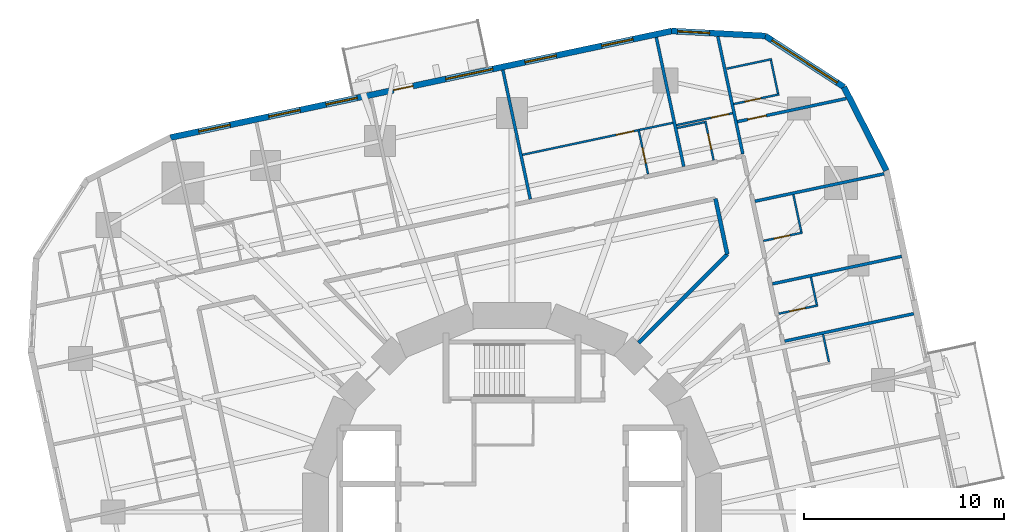
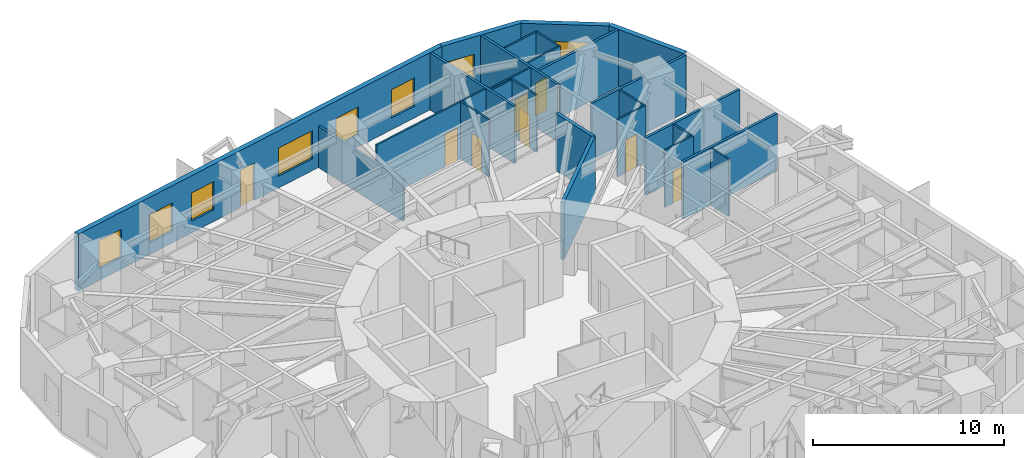
# One storey, part 11 of 14: 27 walls, 9 doors, 8 windows, 17 openings.
"""IFC4 building model written with IfcOpenShell, lengths in metres."""

from ifc_helpers import new_model, si_unit, direction, frame, frame_2d, origin, place, context, subcontext, project, spatial, rectangle, extrude, material, layer, layer_set, type_object, element, fill, save


model = new_model("IFC4")

# Units and contexts
model_context = context("Model", 3, precision=1e-05, world=origin(), true_north=direction((0.0, 1.0)))
body_context = subcontext(model_context, "Body", "Model", "MODEL_VIEW")
ifc_project = project(units=[si_unit("LENGTHUNIT", "METRE"), si_unit("AREAUNIT", "SQUARE_METRE"), si_unit("VOLUMEUNIT", "CUBIC_METRE"), si_unit("PLANEANGLEUNIT", "RADIAN"), si_unit("MASSUNIT", "GRAM", prefix="KILO")], contexts=[model_context])

# Site, building, storey
site_placement = place(None, origin())
site = spatial("IfcSite", under=ifc_project, at=site_placement, CompositionType="ELEMENT")
building_placement = place(site_placement, origin())
building = spatial("IfcBuilding", under=site, at=building_placement, Name="Nakasero Lantern House", CompositionType="ELEMENT")
storey_placement = place(building_placement, frame((0.0, 0.0, 124.25)))
storey = spatial("IfcBuildingStorey", under=building, at=storey_placement, Name="L30", CompositionType="ELEMENT", Elevation=124.25)

# Walls
ifc_material_1 = material(Name="Blockwork", Category="masonry")
ifc_layer_1 = layer(ifc_material_1, 0.199951171875)
ifc_layer_set_1 = layer_set([ifc_layer_1], Name="Corridor wall 200")
wall_type_1 = type_object("IfcWallType", Name="Corridor wall 200", PredefinedType="PARTITIONING", material=ifc_layer_set_1)
wall_1_placement = place(storey_placement, frame((10.75732421875, 12.878662109375, 0.0), z_axis=(0.0, 0.0, 1.0), x_axis=(-0.207908116695, 0.97814836043, 0.0)))
element("IfcWall", 1, at=wall_1_placement, inside=storey, type_object=wall_type_1, Name="Corridor wall L30 IW0-1", PredefinedType="PARTITIONING", context=body_context, shape_type="SweptSolid", body=[
    extrude(rectangle(XDim=2.83935546875, YDim=0.199951171875, at=frame_2d((1.419677734375, 0.0))), origin(), (0.0, 0.0, 1.0), 3.64990234375),
])
wall_2_placement = place(storey_placement, frame((6.334228515625, 8.45556640625, 0.0), z_axis=(0.0, 0.0, 1.0), x_axis=(0.707106781187, 0.707106781187, 0.0)))
element("IfcWall", 2, at=wall_2_placement, inside=storey, type_object=wall_type_1, Name="Corridor wall L30 PS02a", PredefinedType="PARTITIONING", context=body_context, shape_type="SweptSolid", body=[
    extrude(rectangle(XDim=6.255126953125, YDim=0.199951171875, at=frame_2d((3.12744140625, 0.0))), origin(), (0.0, 0.0, 1.0), 3.64990234375),
])
ifc_material_2 = material(Name="Blockwork", Category="masonry")
ifc_layer_2 = layer(ifc_material_2, 0.10009765625)
ifc_layer_set_2 = layer_set([ifc_layer_2], Name="En-suite wall 100")
wall_type_2 = type_object("IfcWallType", Name="En-suite wall 100", PredefinedType="PARTITIONING", material=ifc_layer_set_2)
wall_3_placement = place(storey_placement, frame((15.836669921875, 7.50048828125, 0.0), z_axis=(0.0, 0.0, 1.0), x_axis=(-0.207873355681, 0.978155748334, 0.0)))
element("IfcWall", 3, at=wall_3_placement, inside=storey, type_object=wall_type_2, Name="En-suite wall L30 EE0-05", PredefinedType="PARTITIONING", context=body_context, shape_type="SweptSolid", body=[
    extrude(rectangle(XDim=1.39990234375, YDim=0.10009765625, at=frame_2d((0.699951171875, 0.0))), origin(), (0.0, 0.0, 1.0), 3.64990234375),
])

# Wall, opening, door
wall_4_placement = place(storey_placement, frame((13.331298828125, 9.908447265625, 0.0), z_axis=(0.0, 0.0, 1.0), x_axis=(0.978128127149, 0.208003285743, 0.0)))
wall_4 = element("IfcWall", 4, at=wall_4_placement, inside=storey, type_object=wall_type_2, Name="En-suite wall L30 ES0-06", PredefinedType="PARTITIONING", context=body_context, shape_type="SweptSolid", body=[
    extrude(rectangle(XDim=2.0, YDim=0.10009765625, at=frame_2d((1.0, 0.0))), origin(), (0.0, 0.0, 1.0), 3.64990234375),
])
opening_1_placement = place(wall_4_placement, frame((0.550048828125, 0.0, 0.0)))
opening_1 = element("IfcOpeningElement", 5, at=opening_1_placement, cuts=wall_4, Name="Opening D02", PredefinedType="OPENING", context=body_context, shape_type="SweptSolid", body=[
    extrude(rectangle(XDim=0.800048828125, YDim=2.10009765625, at=frame_2d((0.39990234375, 1.050048828125))), frame((0.0, 0.070068359375, 0.0), z_axis=(0.0, -1.0, 0.0), x_axis=(1.0, 0.0, 0.0)), (0.0, 0.0, 1.0), 0.14013671875),
])
ifc_material_3 = material(Name="Timber C24", Category="wood")
door_type_1 = type_object("IfcDoorType", Name="En-suite door 800", OperationType="SINGLE_SWING_RIGHT", PredefinedType="DOOR", material=ifc_material_3)
door_1_placement = place(opening_1_placement, origin())
door_1 = element("IfcDoor", 6, at=door_1_placement, inside=storey, type_object=door_type_1, Name="Door L30 DE0-06", OperationType="SINGLE_SWING_LEFT", OverallHeight=2.10009765625, OverallWidth=0.800048828125, PredefinedType="DOOR", context=body_context, shape_type="SweptSolid", body=[
    extrude(rectangle(XDim=0.800048828125, YDim=2.10009765625, at=frame_2d((0.39990234375, 1.050048828125))), frame((0.0, 0.02490234375, 0.0), z_axis=(0.0, -1.0, 0.0), x_axis=(1.0, 0.0, 0.0)), (0.0, 0.0, 1.0), 0.050048828125),
])
fill(opening_1, door_1)

# Wall
wall_5_placement = place(storey_placement, frame((15.228271484375, 10.36279296875, 0.0), z_axis=(0.0, 0.0, 1.0), x_axis=(-0.207873355681, 0.978155748334, 0.0)))
element("IfcWall", 7, at=wall_5_placement, inside=storey, type_object=wall_type_2, Name="En-suite wall L30 EE0-06", PredefinedType="PARTITIONING", context=body_context, shape_type="SweptSolid", body=[
    extrude(rectangle(XDim=1.39990234375, YDim=0.10009765625, at=frame_2d((0.699951171875, 0.0))), origin(), (0.0, 0.0, 1.0), 3.64990234375),
])

# Wall, opening, door
wall_6_placement = place(storey_placement, frame((12.55810546875, 13.54541015625, 0.0), z_axis=(0.0, 0.0, 1.0), x_axis=(0.978152955943, 0.207886494942, 0.0)))
wall_6 = element("IfcWall", 8, at=wall_6_placement, inside=storey, type_object=wall_type_2, Name="En-suite wall L30 ES0-07", PredefinedType="PARTITIONING", context=body_context, shape_type="SweptSolid", body=[
    extrude(rectangle(XDim=2.0, YDim=0.10009765625, at=frame_2d((1.0, 0.0))), origin(), (0.0, 0.0, 1.0), 3.64990234375),
])
opening_2_placement = place(wall_6_placement, frame((0.550048828125, 0.0, 0.0)))
opening_2 = element("IfcOpeningElement", 9, at=opening_2_placement, cuts=wall_6, Name="Opening D02", PredefinedType="OPENING", context=body_context, shape_type="SweptSolid", body=[
    extrude(rectangle(XDim=0.800048828125, YDim=2.10009765625, at=frame_2d((0.39990234375, 1.050048828125))), frame((0.0, 0.070068359375, 0.0), z_axis=(0.0, -1.0, 0.0), x_axis=(1.0, 0.0, 0.0)), (0.0, 0.0, 1.0), 0.14013671875),
])
door_2_placement = place(opening_2_placement, origin())
door_2 = element("IfcDoor", 10, at=door_2_placement, inside=storey, type_object=door_type_1, Name="Door L30 DE0-07", OperationType="SINGLE_SWING_LEFT", OverallHeight=2.10009765625, OverallWidth=0.800048828125, PredefinedType="DOOR", context=body_context, shape_type="SweptSolid", body=[
    extrude(rectangle(XDim=0.800048828125, YDim=2.10009765625, at=frame_2d((0.39990234375, 1.050048828125))), frame((0.0, 0.02490234375, 0.0), z_axis=(0.0, -1.0, 0.0), x_axis=(1.0, 0.0, 0.0)), (0.0, 0.0, 1.0), 0.050048828125),
])
fill(opening_2, door_2)

# Wall
wall_7_placement = place(storey_placement, frame((14.455078125, 13.999755859375, 0.0), z_axis=(0.0, 0.0, 1.0), x_axis=(-0.207914082431, 0.978147092378, 0.0)))
element("IfcWall", 11, at=wall_7_placement, inside=storey, type_object=wall_type_2, Name="En-suite wall L30 EE0-07", PredefinedType="PARTITIONING", context=body_context, shape_type="SweptSolid", body=[
    extrude(rectangle(XDim=1.89990234375, YDim=0.10009765625, at=frame_2d((0.949951171875, 0.0))), origin(), (0.0, 0.0, 1.0), 3.64990234375),
])

# Wall, opening, door
wall_8_placement = place(storey_placement, frame((11.069091796875, 20.382568359375, 0.0), z_axis=(0.0, 0.0, 1.0), x_axis=(0.978136257952, 0.207965047255, 0.0)))
wall_8 = element("IfcWall", 12, at=wall_8_placement, inside=storey, type_object=wall_type_2, Name="En-suite wall L30 ES0-08", PredefinedType="PARTITIONING", context=body_context, shape_type="SweptSolid", body=[
    extrude(rectangle(XDim=2.3349609375, YDim=0.10009765625, at=frame_2d((1.16748046875, 0.0))), origin(), (0.0, 0.0, 1.0), 3.64990234375),
])
opening_3_placement = place(wall_8_placement, frame((0.5849609375, 0.0, 0.0)))
opening_3 = element("IfcOpeningElement", 13, at=opening_3_placement, cuts=wall_8, Name="Opening D02", PredefinedType="OPENING", context=body_context, shape_type="SweptSolid", body=[
    extrude(rectangle(XDim=0.800048828125, YDim=2.10009765625, at=frame_2d((0.39990234375, 1.050048828125))), frame((0.0, 0.070068359375, 0.0), z_axis=(0.0, -1.0, 0.0), x_axis=(1.0, 0.0, 0.0)), (0.0, 0.0, 1.0), 0.14013671875),
])
door_3_placement = place(opening_3_placement, origin())
door_3 = element("IfcDoor", 14, at=door_3_placement, inside=storey, type_object=door_type_1, Name="Door L30 DE0-08", OperationType="SINGLE_SWING_LEFT", OverallHeight=2.10009765625, OverallWidth=0.800048828125, PredefinedType="DOOR", context=body_context, shape_type="SweptSolid", body=[
    extrude(rectangle(XDim=0.800048828125, YDim=2.10009765625, at=frame_2d((0.39990234375, 1.050048828125))), frame((0.0, 0.02490234375, 0.0), z_axis=(0.0, -1.0, 0.0), x_axis=(1.0, 0.0, 0.0)), (0.0, 0.0, 1.0), 0.050048828125),
])
fill(opening_3, door_3)

# Walls
wall_9_placement = place(storey_placement, frame((13.293701171875, 20.906494140625, 0.0), z_axis=(0.0, 0.0, 1.0), x_axis=(-0.207812379357, 0.978168704767, 0.0)))
element("IfcWall", 15, at=wall_9_placement, inside=storey, type_object=wall_type_2, Name="En-suite wall L30 EE0-08", PredefinedType="PARTITIONING", context=body_context, shape_type="SweptSolid", body=[
    extrude(rectangle(XDim=1.699951171875, YDim=0.10009765625, at=frame_2d((0.85009765625, 0.0))), origin(), (0.0, 0.0, 1.0), 3.64990234375),
])
wall_10_placement = place(storey_placement, frame((10.72900390625, 22.150634765625, 0.0), z_axis=(0.0, 0.0, 1.0), x_axis=(0.978162897375, 0.207839712757, 0.0)))
element("IfcWall", 16, at=wall_10_placement, inside=storey, type_object=wall_type_2, Name="En-suite wall L30 EV0-08", PredefinedType="PARTITIONING", context=body_context, shape_type="SweptSolid", body=[
    extrude(rectangle(XDim=2.300048828125, YDim=0.10009765625, at=frame_2d((1.14990234375, 0.0))), origin(), (0.0, 0.0, 1.0), 3.64990234375),
])

# Wall, opening, door
wall_11_placement = place(storey_placement, frame((10.07421875, 17.57861328125, 0.0), z_axis=(0.0, 0.0, 1.0), x_axis=(-0.207886494942, 0.978152955943, 0.0)))
wall_11 = element("IfcWall", 17, at=wall_11_placement, inside=storey, type_object=wall_type_2, Name="En-suite wall L30 ES1-00", PredefinedType="PARTITIONING", context=body_context, shape_type="SweptSolid", body=[
    extrude(rectangle(XDim=2.0, YDim=0.10009765625, at=frame_2d((1.0, 0.0))), origin(), (0.0, 0.0, 1.0), 3.64990234375),
])
opening_4_placement = place(wall_11_placement, frame((0.550048828125, 0.0, 0.0)))
opening_4 = element("IfcOpeningElement", 18, at=opening_4_placement, cuts=wall_11, Name="Opening D02", PredefinedType="OPENING", context=body_context, shape_type="SweptSolid", body=[
    extrude(rectangle(XDim=0.800048828125, YDim=2.10009765625, at=frame_2d((0.39990234375, 1.050048828125))), frame((0.0, 0.070068359375, 0.0), z_axis=(0.0, -1.0, 0.0), x_axis=(1.0, 0.0, 0.0)), (0.0, 0.0, 1.0), 0.14013671875),
])
door_4_placement = place(opening_4_placement, origin())
door_4 = element("IfcDoor", 19, at=door_4_placement, inside=storey, type_object=door_type_1, Name="Door L30 DE1-00", OperationType="SINGLE_SWING_LEFT", OverallHeight=2.10009765625, OverallWidth=0.800048828125, PredefinedType="DOOR", context=body_context, shape_type="SweptSolid", body=[
    extrude(rectangle(XDim=0.800048828125, YDim=2.10009765625, at=frame_2d((0.39990234375, 1.050048828125))), frame((0.0, 0.02490234375, 0.0), z_axis=(0.0, -1.0, 0.0), x_axis=(1.0, 0.0, 0.0)), (0.0, 0.0, 1.0), 0.050048828125),
])
fill(opening_4, door_4)

# Wall
wall_12_placement = place(storey_placement, frame((9.619873046875, 19.4755859375, 0.0), z_axis=(0.0, 0.0, 1.0), x_axis=(-0.978155748334, -0.207873355681, 0.0)))
element("IfcWall", 20, at=wall_12_placement, inside=storey, type_object=wall_type_2, Name="En-suite wall L30 EE1-00", PredefinedType="PARTITIONING", context=body_context, shape_type="SweptSolid", body=[
    extrude(rectangle(XDim=1.39990234375, YDim=0.10009765625, at=frame_2d((0.699951171875, 0.0))), origin(), (0.0, 0.0, 1.0), 3.64990234375),
])

# Wall, opening, door
wall_13_placement = place(storey_placement, frame((6.79736328125, 16.882080078125, 0.0), z_axis=(0.0, 0.0, 1.0), x_axis=(-0.207839712757, 0.978162897375, 0.0)))
wall_13 = element("IfcWall", 21, at=wall_13_placement, inside=storey, type_object=wall_type_2, Name="En-suite wall L30 ES1-01", PredefinedType="PARTITIONING", context=body_context, shape_type="SweptSolid", body=[
    extrude(rectangle(XDim=2.300048828125, YDim=0.10009765625, at=frame_2d((1.14990234375, 0.0))), origin(), (0.0, 0.0, 1.0), 3.64990234375),
])
opening_5_placement = place(wall_13_placement, frame((0.550048828125, 0.0, 0.0)))
opening_5 = element("IfcOpeningElement", 22, at=opening_5_placement, cuts=wall_13, Name="Opening D02", PredefinedType="OPENING", context=body_context, shape_type="SweptSolid", body=[
    extrude(rectangle(XDim=0.800048828125, YDim=2.10009765625, at=frame_2d((0.39990234375, 1.050048828125))), frame((0.0, 0.070068359375, 0.0), z_axis=(0.0, -1.0, 0.0), x_axis=(1.0, 0.0, 0.0)), (0.0, 0.0, 1.0), 0.14013671875),
])
door_5_placement = place(opening_5_placement, origin())
door_5 = element("IfcDoor", 23, at=door_5_placement, inside=storey, type_object=door_type_1, Name="Door L30 DE1-01", OperationType="SINGLE_SWING_LEFT", OverallHeight=2.10009765625, OverallWidth=0.800048828125, PredefinedType="DOOR", context=body_context, shape_type="SweptSolid", body=[
    extrude(rectangle(XDim=0.800048828125, YDim=2.10009765625, at=frame_2d((0.39990234375, 1.050048828125))), frame((0.0, 0.02490234375, 0.0), z_axis=(0.0, -1.0, 0.0), x_axis=(1.0, 0.0, 0.0)), (0.0, 0.0, 1.0), 0.050048828125),
])
fill(opening_5, door_5)

# Wall
wall_14_placement = place(storey_placement, frame((8.041259765625, 19.44677734375, 0.0), z_axis=(0.0, 0.0, 1.0), x_axis=(-0.978168704767, -0.207812379357, 0.0)))
element("IfcWall", 24, at=wall_14_placement, inside=storey, type_object=wall_type_2, Name="En-suite wall L30 EE1-01", PredefinedType="PARTITIONING", context=body_context, shape_type="SweptSolid", body=[
    extrude(rectangle(XDim=1.699951171875, YDim=0.10009765625, at=frame_2d((0.85009765625, 0.0))), origin(), (0.0, 0.0, 1.0), 3.64990234375),
])

# Wall, opening, door
wall_15_placement = place(storey_placement, frame((11.022705078125, 19.92724609375, 0.0), z_axis=(0.0, 0.0, 1.0), x_axis=(-0.978143910676, -0.207929050419, 0.0)))
wall_15 = element("IfcWall", 25, at=wall_15_placement, inside=storey, type_object=wall_type_2, Name="En-suite wall L30 EL1-00", PredefinedType="PARTITIONING", context=body_context, shape_type="SweptSolid", body=[
    extrude(rectangle(XDim=2.8662109375, YDim=0.10009765625, at=frame_2d((1.43310546875, 0.0))), origin(), (0.0, 0.0, 1.0), 3.64990234375),
])
opening_6_placement = place(wall_15_placement, frame((0.199951171875, 0.0, 0.0)))
opening_6 = element("IfcOpeningElement", 26, at=opening_6_placement, cuts=wall_15, Name="Opening D17", PredefinedType="OPENING", context=body_context, shape_type="SweptSolid", body=[
    extrude(rectangle(XDim=0.89990234375, YDim=2.10009765625, at=frame_2d((0.449951171875, 1.050048828125))), frame((0.0, 0.070068359375, 0.0), z_axis=(0.0, -1.0, 0.0), x_axis=(1.0, 0.0, 0.0)), (0.0, 0.0, 1.0), 0.14013671875),
])
ifc_material_4 = material(Name="Timber C24", Category="wood")
door_type_2 = type_object("IfcDoorType", Name="Bedroom door FD30S 900", OperationType="SINGLE_SWING_LEFT", PredefinedType="DOOR", material=ifc_material_4)
door_6_placement = place(opening_6_placement, origin())
door_6 = element("IfcDoor", 27, at=door_6_placement, inside=storey, type_object=door_type_2, Name="Door L30 DL1-00", OperationType="SINGLE_SWING_LEFT", OverallHeight=2.10009765625, OverallWidth=0.89990234375, PredefinedType="DOOR", context=body_context, shape_type="SweptSolid", body=[
    extrude(rectangle(XDim=0.89990234375, YDim=2.10009765625, at=frame_2d((0.449951171875, 1.050048828125))), frame((0.0, 0.02490234375, 0.0), z_axis=(0.0, -1.0, 0.0), x_axis=(1.0, 0.0, 0.0)), (0.0, 0.0, 1.0), 0.050048828125),
])
fill(opening_6, door_6)

wall_16_placement = place(storey_placement, frame((6.28076171875, 19.072509765625, 0.0), z_axis=(0.0, 0.0, 1.0), x_axis=(-0.978149894464, -0.207900899374, 0.0)))
wall_16 = element("IfcWall", 28, at=wall_16_placement, inside=storey, type_object=wall_type_2, Name="En-suite wall L30 EL1-01", PredefinedType="PARTITIONING", context=body_context, shape_type="SweptSolid", body=[
    extrude(rectangle(XDim=5.88916015625, YDim=0.10009765625, at=frame_2d((2.944580078125, 0.0))), origin(), (0.0, 0.0, 1.0), 3.64990234375),
])
opening_7_placement = place(wall_16_placement, frame((0.199951171875, 0.0, 0.0)))
opening_7 = element("IfcOpeningElement", 29, at=opening_7_placement, cuts=wall_16, Name="Opening D17", PredefinedType="OPENING", context=body_context, shape_type="SweptSolid", body=[
    extrude(rectangle(XDim=0.89990234375, YDim=2.10009765625, at=frame_2d((0.449951171875, 1.050048828125))), frame((0.0, 0.070068359375, 0.0), z_axis=(0.0, -1.0, 0.0), x_axis=(1.0, 0.0, 0.0)), (0.0, 0.0, 1.0), 0.14013671875),
])
door_7_placement = place(opening_7_placement, origin())
door_7 = element("IfcDoor", 30, at=door_7_placement, inside=storey, type_object=door_type_2, Name="Door L30 DL1-01", OperationType="SINGLE_SWING_LEFT", OverallHeight=2.10009765625, OverallWidth=0.89990234375, PredefinedType="DOOR", context=body_context, shape_type="SweptSolid", body=[
    extrude(rectangle(XDim=0.89990234375, YDim=2.10009765625, at=frame_2d((0.449951171875, 1.050048828125))), frame((0.0, 0.02490234375, 0.0), z_axis=(0.0, -1.0, 0.0), x_axis=(1.0, 0.0, 0.0)), (0.0, 0.0, 1.0), 0.050048828125),
])
fill(opening_7, door_7)

# Wall
ifc_material_5 = material(Name="Aluminium rainscreen on blockwork", Category="masonry")
ifc_layer_3 = layer(ifc_material_5, 0.300048828125)
ifc_layer_set_3 = layer_set([ifc_layer_3], Name="Facade wall 300")
wall_type_3 = type_object("IfcWallType", Name="Facade wall 300", PredefinedType="SOLIDWALL", material=ifc_layer_set_3)
wall_17_placement = place(storey_placement, frame((18.711181640625, 17.063232421875, 0.0), z_axis=(0.0, 0.0, 1.0), x_axis=(-0.453975745332, 0.89101404178, 0.0)))
element("IfcWall", 31, at=wall_17_placement, inside=storey, type_object=wall_type_3, Name="Facade wall L30 FW0C1", PredefinedType="SOLIDWALL", context=body_context, shape_type="SweptSolid", body=[
    extrude(rectangle(XDim=4.6845703125, YDim=0.300048828125, at=frame_2d((2.34228515625, 0.0))), origin(), (0.0, 0.0, 1.0), 3.64990234375),
])

# Wall, opening, window
wall_18_placement = place(storey_placement, frame((16.58447265625, 21.2373046875, 0.0), z_axis=(0.0, 0.0, 1.0), x_axis=(-0.838692381994, 0.544605442853, 0.0)))
wall_18 = element("IfcWall", 32, at=wall_18_placement, inside=storey, type_object=wall_type_3, Name="Facade wall L30 FW0C2", PredefinedType="SOLIDWALL", context=body_context, shape_type="SweptSolid", body=[
    extrude(rectangle(XDim=4.6845703125, YDim=0.300048828125, at=frame_2d((2.34228515625, 0.0))), origin(), (0.0, 0.0, 1.0), 3.64990234375),
])
opening_8_placement = place(wall_18_placement, frame((0.39990234375, 0.0, 0.75)))
opening_8 = element("IfcOpeningElement", 33, at=opening_8_placement, cuts=wall_18, Name="Opening W238", PredefinedType="OPENING", context=body_context, shape_type="SweptSolid", body=[
    extrude(rectangle(XDim=3.885009765625, YDim=1.800048828125, at=frame_2d((1.9423828125, 0.89990234375))), frame((0.0, 0.169921875, 0.0), z_axis=(0.0, -1.0, 0.0), x_axis=(1.0, 0.0, 0.0)), (0.0, 0.0, 1.0), 0.340087890625),
])
ifc_material_6 = material(Name="Aluminium 6063-T6 and glass", Category="aluminium")
window_type_1 = type_object("IfcWindowType", Name="Corner window 3885x1800", PartitioningType="SINGLE_PANEL", PredefinedType="WINDOW", material=ifc_material_6)
window_1_placement = place(opening_8_placement, origin())
window_1 = element("IfcWindow", 34, at=window_1_placement, inside=storey, type_object=window_type_1, Name="Window L30 WC0", OverallHeight=1.800048828125, OverallWidth=3.885009765625, PartitioningType="SINGLE_PANEL", PredefinedType="WINDOW", context=body_context, shape_type="SweptSolid", body=[
    extrude(rectangle(XDim=3.885009765625, YDim=1.800048828125, at=frame_2d((1.9423828125, 0.89990234375))), frame((0.0, 0.030029296875, 0.0), z_axis=(0.0, -1.0, 0.0), x_axis=(1.0, 0.0, 0.0)), (0.0, 0.0, 1.0), 0.06005859375),
])
fill(opening_8, window_1)

wall_19_placement = place(storey_placement, frame((12.655517578125, 23.78857421875, 0.0), z_axis=(0.0, 0.0, 1.0), x_axis=(-0.998630039879, 0.052326317, 0.0)))
wall_19 = element("IfcWall", 35, at=wall_19_placement, inside=storey, type_object=wall_type_3, Name="Facade wall L30 FW0C3", PredefinedType="SOLIDWALL", context=body_context, shape_type="SweptSolid", body=[
    extrude(rectangle(XDim=4.684326171875, YDim=0.300048828125, at=frame_2d((2.34228515625, 0.0))), origin(), (0.0, 0.0, 1.0), 3.64990234375),
])
opening_9_placement = place(wall_19_placement, frame((2.784912109375, 0.0, 0.75)))
opening_9 = element("IfcOpeningElement", 36, at=opening_9_placement, cuts=wall_19, Name="Opening W01", PredefinedType="OPENING", context=body_context, shape_type="SweptSolid", body=[
    extrude(rectangle(XDim=1.60009765625, YDim=1.800048828125, at=frame_2d((0.800048828125, 0.89990234375))), frame((0.0, 0.169921875, 0.0), z_axis=(0.0, -1.0, 0.0), x_axis=(1.0, 0.0, 0.0)), (0.0, 0.0, 1.0), 0.340087890625),
])
ifc_material_7 = material(Name="Aluminium 6063-T6 and glass", Category="aluminium")
window_type_2 = type_object("IfcWindowType", Name="Bedroom window 1600x1800", PartitioningType="SINGLE_PANEL", PredefinedType="WINDOW", material=ifc_material_7)
window_2_placement = place(opening_9_placement, origin())
window_2 = element("IfcWindow", 37, at=window_2_placement, inside=storey, type_object=window_type_2, Name="Window L30 WN1-00", OverallHeight=1.800048828125, OverallWidth=1.60009765625, PartitioningType="SINGLE_PANEL", PredefinedType="WINDOW", context=body_context, shape_type="SweptSolid", body=[
    extrude(rectangle(XDim=1.60009765625, YDim=1.800048828125, at=frame_2d((0.800048828125, 0.89990234375))), frame((0.0, 0.030029296875, 0.0), z_axis=(0.0, -1.0, 0.0), x_axis=(1.0, 0.0, 0.0)), (0.0, 0.0, 1.0), 0.06005859375),
])
fill(opening_9, window_2)

# Wall, openings, door, windows
wall_20_placement = place(storey_placement, frame((7.9775390625, 24.03369140625, 0.0), z_axis=(0.0, 0.0, 1.0), x_axis=(-0.978148160964, -0.207909055127, 0.0)))
wall_20 = element("IfcWall", 38, at=wall_20_placement, inside=storey, type_object=wall_type_3, Name="Facade wall L30 FW1S", PredefinedType="SOLIDWALL", context=body_context, shape_type="SweptSolid", body=[
    extrude(rectangle(XDim=25.60009765625, YDim=0.300048828125, at=frame_2d((12.800048828125, 0.0))), origin(), (0.0, 0.0, 1.0), 3.64990234375),
])
opening_10_placement = place(wall_20_placement, frame((1.975830078125, 0.0, 0.75)))
opening_10 = element("IfcOpeningElement", 39, at=opening_10_placement, cuts=wall_20, Name="Opening W01", PredefinedType="OPENING", context=body_context, shape_type="SweptSolid", body=[
    extrude(rectangle(XDim=1.60009765625, YDim=1.800048828125, at=frame_2d((0.800048828125, 0.89990234375))), frame((0.0, 0.169921875, 0.0), z_axis=(0.0, -1.0, 0.0), x_axis=(1.0, 0.0, 0.0)), (0.0, 0.0, 1.0), 0.340087890625),
])
opening_11_placement = place(wall_20_placement, frame((5.8955078125, 0.0, 0.75)))
opening_11 = element("IfcOpeningElement", 40, at=opening_11_placement, cuts=wall_20, Name="Opening W01", PredefinedType="OPENING", context=body_context, shape_type="SweptSolid", body=[
    extrude(rectangle(XDim=1.60009765625, YDim=1.800048828125, at=frame_2d((0.800048828125, 0.89990234375))), frame((0.0, 0.169921875, 0.0), z_axis=(0.0, -1.0, 0.0), x_axis=(1.0, 0.0, 0.0)), (0.0, 0.0, 1.0), 0.340087890625),
])
opening_12_placement = place(wall_20_placement, frame((16.0556640625, 0.0, 0.75)))
opening_12 = element("IfcOpeningElement", 41, at=opening_12_placement, cuts=wall_20, Name="Opening W01", PredefinedType="OPENING", context=body_context, shape_type="SweptSolid", body=[
    extrude(rectangle(XDim=1.60009765625, YDim=1.800048828125, at=frame_2d((0.800048828125, 0.89990234375))), frame((0.0, 0.169921875, 0.0), z_axis=(0.0, -1.0, 0.0), x_axis=(1.0, 0.0, 0.0)), (0.0, 0.0, 1.0), 0.340087890625),
])
opening_13_placement = place(wall_20_placement, frame((18.982177734375, 0.0, 0.75)))
opening_13 = element("IfcOpeningElement", 42, at=opening_13_placement, cuts=wall_20, Name="Opening W01", PredefinedType="OPENING", context=body_context, shape_type="SweptSolid", body=[
    extrude(rectangle(XDim=1.60009765625, YDim=1.800048828125, at=frame_2d((0.800048828125, 0.89990234375))), frame((0.0, 0.169921875, 0.0), z_axis=(0.0, -1.0, 0.0), x_axis=(1.0, 0.0, 0.0)), (0.0, 0.0, 1.0), 0.340087890625),
])
opening_14_placement = place(wall_20_placement, frame((22.554443359375, 0.0, 0.75)))
opening_14 = element("IfcOpeningElement", 43, at=opening_14_placement, cuts=wall_20, Name="Opening W01", PredefinedType="OPENING", context=body_context, shape_type="SweptSolid", body=[
    extrude(rectangle(XDim=1.60009765625, YDim=1.800048828125, at=frame_2d((0.800048828125, 0.89990234375))), frame((0.0, 0.169921875, 0.0), z_axis=(0.0, -1.0, 0.0), x_axis=(1.0, 0.0, 0.0)), (0.0, 0.0, 1.0), 0.340087890625),
])
opening_15_placement = place(wall_20_placement, frame((9.139404296875, 0.0, 0.75)))
opening_15 = element("IfcOpeningElement", 44, at=opening_15_placement, cuts=wall_20, Name="Opening W03", PredefinedType="OPENING", context=body_context, shape_type="SweptSolid", body=[
    extrude(rectangle(XDim=2.39990234375, YDim=1.800048828125, at=frame_2d((1.199951171875, 0.89990234375))), frame((0.0, 0.169921875, 0.0), z_axis=(0.0, -1.0, 0.0), x_axis=(1.0, 0.0, 0.0)), (0.0, 0.0, 1.0), 0.340087890625),
])
opening_16_placement = place(wall_20_placement, frame((13.208251953125, 0.0, 0.0)))
opening_16 = element("IfcOpeningElement", 45, at=opening_16_placement, cuts=wall_20, Name="Opening D04", PredefinedType="OPENING", context=body_context, shape_type="SweptSolid", body=[
    extrude(rectangle(XDim=1.0, YDim=2.39990234375, at=frame_2d((0.5, 1.199951171875))), frame((0.0, 0.169921875, 0.0), z_axis=(0.0, -1.0, 0.0), x_axis=(1.0, 0.0, 0.0)), (0.0, 0.0, 1.0), 0.340087890625),
])
ifc_material_8 = material(Name="Aluminium 6063-T6 and glass", Category="aluminium")
door_type_3 = type_object("IfcDoorType", Name="Balcony door 1000x2400", OperationType="SINGLE_SWING_RIGHT", PredefinedType="DOOR", material=ifc_material_8)
door_8_placement = place(opening_16_placement, origin())
door_8 = element("IfcDoor", 46, at=door_8_placement, inside=storey, type_object=door_type_3, Name="Balcony door L30 DB1", OperationType="SINGLE_SWING_RIGHT", OverallHeight=2.39990234375, OverallWidth=1.0, PredefinedType="DOOR", context=body_context, shape_type="SweptSolid", body=[
    extrude(rectangle(XDim=1.0, YDim=2.39990234375, at=frame_2d((0.5, 1.199951171875))), frame((0.0, 0.02490234375, 0.0), z_axis=(0.0, -1.0, 0.0), x_axis=(1.0, 0.0, 0.0)), (0.0, 0.0, 1.0), 0.050048828125),
])
fill(opening_16, door_8)
window_3_placement = place(opening_10_placement, origin())
window_3 = element("IfcWindow", 47, at=window_3_placement, inside=storey, type_object=window_type_2, Name="Window L30 WN1-01", OverallHeight=1.800048828125, OverallWidth=1.60009765625, PartitioningType="SINGLE_PANEL", PredefinedType="WINDOW", context=body_context, shape_type="SweptSolid", body=[
    extrude(rectangle(XDim=1.60009765625, YDim=1.800048828125, at=frame_2d((0.800048828125, 0.89990234375))), frame((0.0, 0.030029296875, 0.0), z_axis=(0.0, -1.0, 0.0), x_axis=(1.0, 0.0, 0.0)), (0.0, 0.0, 1.0), 0.06005859375),
])
fill(opening_10, window_3)
window_4_placement = place(opening_11_placement, origin())
window_4 = element("IfcWindow", 48, at=window_4_placement, inside=storey, type_object=window_type_2, Name="Window L30 WN1-02", OverallHeight=1.800048828125, OverallWidth=1.60009765625, PartitioningType="SINGLE_PANEL", PredefinedType="WINDOW", context=body_context, shape_type="SweptSolid", body=[
    extrude(rectangle(XDim=1.60009765625, YDim=1.800048828125, at=frame_2d((0.800048828125, 0.89990234375))), frame((0.0, 0.030029296875, 0.0), z_axis=(0.0, -1.0, 0.0), x_axis=(1.0, 0.0, 0.0)), (0.0, 0.0, 1.0), 0.06005859375),
])
fill(opening_11, window_4)
window_5_placement = place(opening_12_placement, origin())
window_5 = element("IfcWindow", 49, at=window_5_placement, inside=storey, type_object=window_type_2, Name="Window L30 WN1-05", OverallHeight=1.800048828125, OverallWidth=1.60009765625, PartitioningType="SINGLE_PANEL", PredefinedType="WINDOW", context=body_context, shape_type="SweptSolid", body=[
    extrude(rectangle(XDim=1.60009765625, YDim=1.800048828125, at=frame_2d((0.800048828125, 0.89990234375))), frame((0.0, 0.030029296875, 0.0), z_axis=(0.0, -1.0, 0.0), x_axis=(1.0, 0.0, 0.0)), (0.0, 0.0, 1.0), 0.06005859375),
])
fill(opening_12, window_5)
window_6_placement = place(opening_13_placement, origin())
window_6 = element("IfcWindow", 50, at=window_6_placement, inside=storey, type_object=window_type_2, Name="Window L30 WN1-06", OverallHeight=1.800048828125, OverallWidth=1.60009765625, PartitioningType="SINGLE_PANEL", PredefinedType="WINDOW", context=body_context, shape_type="SweptSolid", body=[
    extrude(rectangle(XDim=1.60009765625, YDim=1.800048828125, at=frame_2d((0.800048828125, 0.89990234375))), frame((0.0, 0.030029296875, 0.0), z_axis=(0.0, -1.0, 0.0), x_axis=(1.0, 0.0, 0.0)), (0.0, 0.0, 1.0), 0.06005859375),
])
fill(opening_13, window_6)
window_7_placement = place(opening_14_placement, origin())
window_7 = element("IfcWindow", 51, at=window_7_placement, inside=storey, type_object=window_type_2, Name="Window L30 WN1-07", OverallHeight=1.800048828125, OverallWidth=1.60009765625, PartitioningType="SINGLE_PANEL", PredefinedType="WINDOW", context=body_context, shape_type="SweptSolid", body=[
    extrude(rectangle(XDim=1.60009765625, YDim=1.800048828125, at=frame_2d((0.800048828125, 0.89990234375))), frame((0.0, 0.030029296875, 0.0), z_axis=(0.0, -1.0, 0.0), x_axis=(1.0, 0.0, 0.0)), (0.0, 0.0, 1.0), 0.06005859375),
])
fill(opening_14, window_7)
ifc_material_9 = material(Name="Aluminium 6063-T6 and glass", Category="aluminium")
window_type_3 = type_object("IfcWindowType", Name="Lounge window 2400x1800", PartitioningType="SINGLE_PANEL", PredefinedType="WINDOW", material=ifc_material_9)
window_8_placement = place(opening_15_placement, origin())
window_8 = element("IfcWindow", 52, at=window_8_placement, inside=storey, type_object=window_type_3, Name="Window L30 WK1", OverallHeight=1.800048828125, OverallWidth=2.39990234375, PartitioningType="SINGLE_PANEL", PredefinedType="WINDOW", context=body_context, shape_type="SweptSolid", body=[
    extrude(rectangle(XDim=2.39990234375, YDim=1.800048828125, at=frame_2d((1.199951171875, 0.89990234375))), frame((0.0, 0.030029296875, 0.0), z_axis=(0.0, -1.0, 0.0), x_axis=(1.0, 0.0, 0.0)), (0.0, 0.0, 1.0), 0.06005859375),
])
fill(opening_15, window_8)

# Walls
ifc_material_10 = material(Name="Blockwork", Category="masonry")
ifc_layer_4 = layer(ifc_material_10, 0.14990234375)
ifc_layer_set_4 = layer_set([ifc_layer_4], Name="Party wall 150")
wall_type_4 = type_object("IfcWallType", Name="Party wall 150", PredefinedType="PARTITIONING", material=ifc_layer_set_4)
for number, where, z_axis, x_axis, name in (
    (53, (13.62255859375, 8.537841796875, 0.0), (0.0, 0.0, 1.0), (0.97815236361, 0.207889281984, 0.0), "Party wall L30 PW0-06"),
    (54, (13.01416015625, 11.400146484375, 0.0), (0.0, 0.0, 1.0), (0.978144841009, 0.207924673876, 0.0), "Party wall L30 PW0-07"),
    (55, (12.13720703125, 15.526123046875, 0.0), (0.0, 0.0, 1.0), (0.978144841009, 0.207924673876, 0.0), "Party wall L30 PW0-08"),
):
    element("IfcWall", number, at=place(storey_placement, frame(where, z_axis=z_axis, x_axis=x_axis)), inside=storey, type_object=wall_type_4, Name=name, PredefinedType="PARTITIONING", context=body_context, shape_type="SweptSolid", body=[
        extrude(rectangle(XDim=6.60009765625, YDim=0.14990234375, at=frame_2d((3.300048828125, 0.0))), origin(), (0.0, 0.0, 1.0), 3.64990234375),
    ])

# Wall, opening, door
wall_21_placement = place(storey_placement, frame((11.256103515625, 19.502197265625, 0.0), z_axis=(0.0, 0.0, 1.0), x_axis=(0.978142361087, 0.207936339891, 0.0)))
wall_21 = element("IfcWall", 56, at=wall_21_placement, inside=storey, type_object=wall_type_4, Name="Party wall L30 PC0", PredefinedType="PARTITIONING", context=body_context, shape_type="SweptSolid", body=[
    extrude(rectangle(XDim=5.570068359375, YDim=0.14990234375, at=frame_2d((2.78515625, 0.0))), origin(), (0.0, 0.0, 1.0), 3.64990234375),
])
opening_17_placement = place(wall_21_placement, frame((0.534912109375, 0.0, 0.0)))
opening_17 = element("IfcOpeningElement", 57, at=opening_17_placement, cuts=wall_21, Name="Opening D01", PredefinedType="OPENING", context=body_context, shape_type="SweptSolid", body=[
    extrude(rectangle(XDim=0.949951171875, YDim=2.10009765625, at=frame_2d((0.47509765625, 1.050048828125))), frame((0.0, 0.094970703125, 0.0), z_axis=(0.0, -1.0, 0.0), x_axis=(1.0, 0.0, 0.0)), (0.0, 0.0, 1.0), 0.18994140625),
])
ifc_material_11 = material(Name="Timber C24", Category="wood")
door_type_4 = type_object("IfcDoorType", Name="Bedroom door FD30S 950", OperationType="SINGLE_SWING_LEFT", PredefinedType="DOOR", material=ifc_material_11)
door_9_placement = place(opening_17_placement, origin())
door_9 = element("IfcDoor", 58, at=door_9_placement, inside=storey, type_object=door_type_4, Name="Door L30 DC0", OperationType="SINGLE_SWING_LEFT", OverallHeight=2.10009765625, OverallWidth=0.949951171875, PredefinedType="DOOR", context=body_context, shape_type="SweptSolid", body=[
    extrude(rectangle(XDim=0.949951171875, YDim=2.10009765625, at=frame_2d((0.47509765625, 1.050048828125))), frame((0.0, 0.02490234375, 0.0), z_axis=(0.0, -1.0, 0.0), x_axis=(1.0, 0.0, 0.0)), (0.0, 0.0, 1.0), 0.050048828125),
])
fill(opening_17, door_9)

# Walls
wall_22_placement = place(storey_placement, frame((11.53271484375, 17.888671875, 0.0), z_axis=(0.0, 0.0, 1.0), x_axis=(-0.207886494942, 0.978152955943, 0.0)))
element("IfcWall", 59, at=wall_22_placement, inside=storey, type_object=wall_type_4, Name="Party wall L30 PW1-00", PredefinedType="PARTITIONING", context=body_context, shape_type="SweptSolid", body=[
    extrude(rectangle(XDim=6.0, YDim=0.14990234375, at=frame_2d((3.0, 0.0))), origin(), (0.0, 0.0, 1.0), 3.64990234375),
])
wall_23_placement = place(storey_placement, frame((8.58251953125, 17.26171875, 0.0), z_axis=(0.0, 0.0, 1.0), x_axis=(-0.207932197326, 0.978143241716, 0.0)))
element("IfcWall", 60, at=wall_23_placement, inside=storey, type_object=wall_type_4, Name="Party wall L30 PW1-01", PredefinedType="PARTITIONING", context=body_context, shape_type="SweptSolid", body=[
    extrude(rectangle(XDim=6.599853515625, YDim=0.14990234375, at=frame_2d((3.2998046875, 0.0))), origin(), (0.0, 0.0, 1.0), 3.64990234375),
])
wall_24_placement = place(storey_placement, frame((0.914794921875, 15.6318359375, 0.0), z_axis=(0.0, 0.0, 1.0), x_axis=(-0.207924673876, 0.978144841009, 0.0)))
element("IfcWall", 61, at=wall_24_placement, inside=storey, type_object=wall_type_4, Name="Party wall L30 PW1-03", PredefinedType="PARTITIONING", context=body_context, shape_type="SweptSolid", body=[
    extrude(rectangle(XDim=6.60009765625, YDim=0.14990234375, at=frame_2d((3.300048828125, 0.0))), origin(), (0.0, 0.0, 1.0), 2.623779296875),
])

save(model, "model.ifc")
